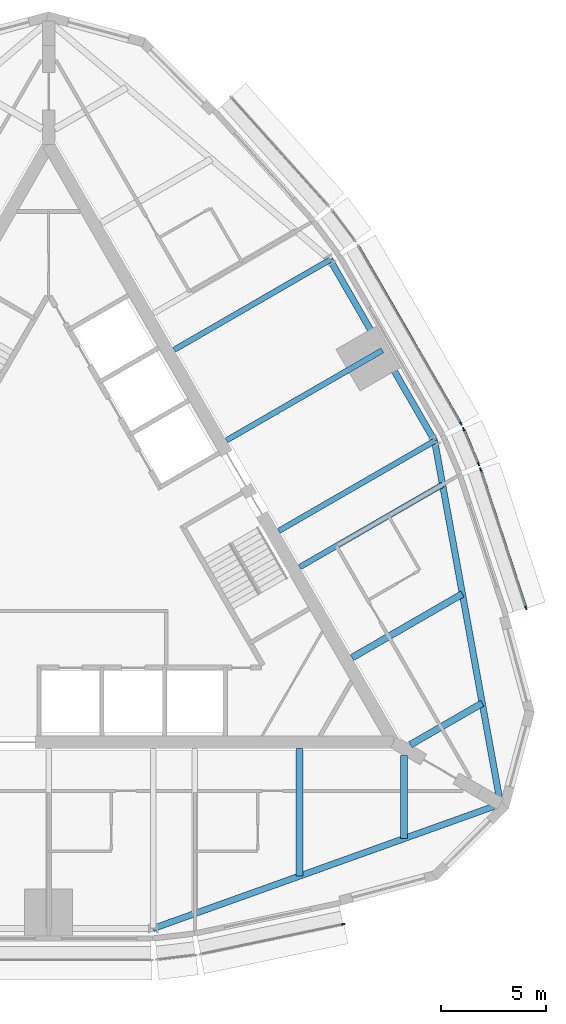
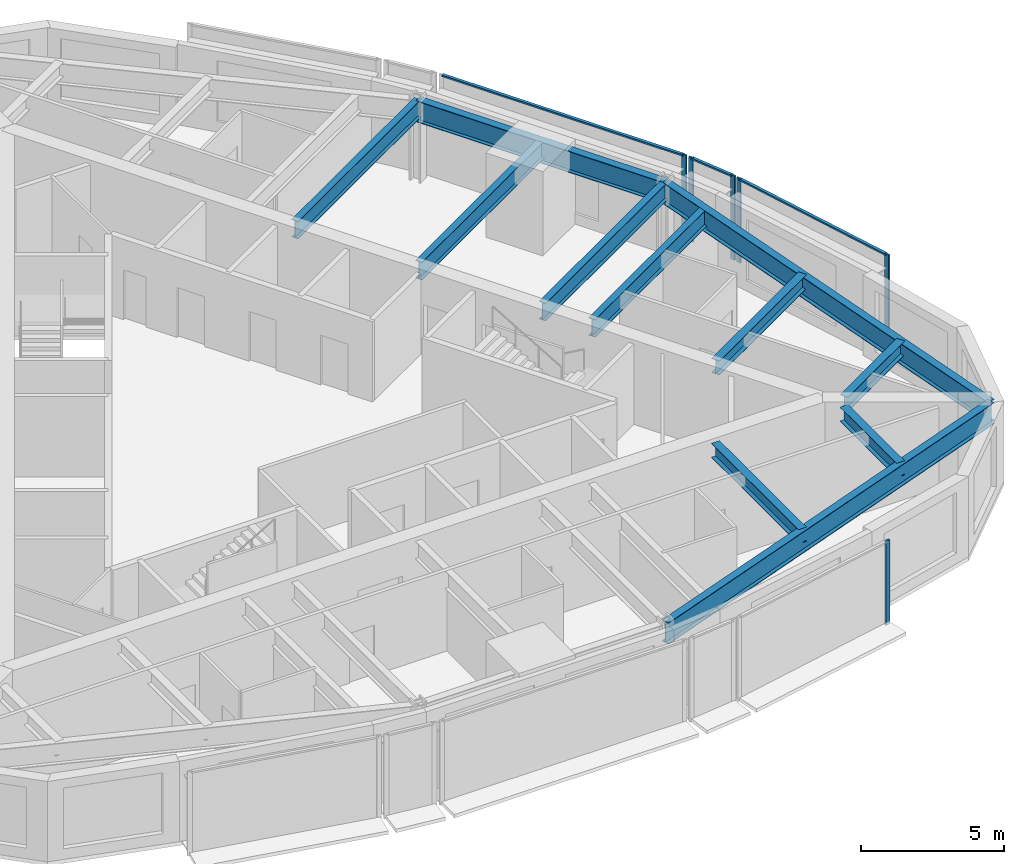
# One storey, part 4 of 12: 11 beams, 9 members, 4 elements without a shape of their own.
"""IFC4 building model written with IfcOpenShell, lengths in metres."""

import ifcopenshell
import ifcopenshell.guid

model = None  # the IFC model being written
_history = None  # IfcOwnerHistory: only IFC2X3 demands one
_inside = {}  # id of a spatial element -> (the spatial element, [elements in it])
_under = {}  # id of a project, library or spatial element -> (it, [spatial elements below it])
_declared = {}  # id of a project -> (the project, [libraries it declares])
_typed = {}  # id of a type object -> (the type object, [elements of that type])
_made_of = {}  # id of a material, layer set ... -> (it, [elements and type objects made of it])


def new_model(schema):
    """Start an empty IFC model of exactly this schema.

    Asked for "IFC4X3", IfcOpenShell would pick the latest addendum, in which some entities
    have other attributes; the version numbers below select the first issue.
    IFC2X3 requires an IfcOwnerHistory on every rooted entity: one is made here for all.
    """
    global model, _history
    if schema == "IFC4X3":
        model = ifcopenshell.file(schema_version=(4, 3, 0, 0))
    else:
        model = ifcopenshell.file(schema=schema)
    _inside.clear()
    _under.clear()
    _declared.clear()
    _typed.clear()
    _made_of.clear()
    _history = None
    if model.schema == "IFC2X3":
        org = make("IfcOrganization", Name="unknown")
        user = make(
            "IfcPersonAndOrganization",
            ThePerson=make("IfcPerson", FamilyName="unknown"),
            TheOrganization=org,
        )
        app = make(
            "IfcApplication",
            ApplicationDeveloper=org,
            Version="unknown",
            ApplicationFullName="unknown",
            ApplicationIdentifier="unknown",
        )
        _history = make(
            "IfcOwnerHistory",
            OwningUser=user,
            OwningApplication=app,
            ChangeAction="ADDED",
            CreationDate=0,
        )
    return model


def make(cls, **values):
    """One entity of the class cls with the attributes given. An attribute that is None is left unset."""
    return model.create_entity(
        cls, **{name: value for name, value in values.items() if value is not None}
    )


def rooted(cls, **values):
    """An entity with a GlobalId (a new one), such as an element, a storey or a relation."""
    return make(cls, GlobalId=ifcopenshell.guid.new(), OwnerHistory=_history, **values)


def si_unit(unit_type, name, prefix=None):
    """IfcSIUnit, for example si_unit("LENGTHUNIT", "METRE", prefix="MILLI")."""
    return make("IfcSIUnit", UnitType=unit_type, Prefix=prefix, Name=name)


def assignment(units):
    """IfcUnitAssignment: the units of a project."""
    return None if units is None else make("IfcUnitAssignment", Units=units)


def point(xyz):
    """IfcCartesianPoint."""
    return None if xyz is None else make("IfcCartesianPoint", Coordinates=xyz)


def direction(xyz):
    """IfcDirection."""
    return None if xyz is None else make("IfcDirection", DirectionRatios=xyz)


def frame(location, z_axis=None, x_axis=None):
    """IfcAxis2Placement3D, a coordinate frame: its origin and axes. An axis left out is left unset."""
    return make(
        "IfcAxis2Placement3D",
        Location=point(location),
        Axis=direction(z_axis),
        RefDirection=direction(x_axis),
    )


def frame_2d(location, x_axis=None):
    """IfcAxis2Placement2D, a coordinate frame in the plane: its origin and x axis."""
    return make(
        "IfcAxis2Placement2D", Location=point(location), RefDirection=direction(x_axis)
    )


def origin():
    """The frame at (0, 0, 0) with its axes left unset."""
    return frame((0.0, 0.0, 0.0))


def origin_2d():
    """The frame at (0, 0) in the plane with its x axis left unset."""
    return frame_2d((0.0, 0.0))


def place(relative_to, where):
    """IfcLocalPlacement: puts the frame where relative to a parent placement (None: the world)."""
    return make(
        "IfcLocalPlacement", PlacementRelTo=relative_to, RelativePlacement=where
    )


def context(
    kind, dimensions, precision=None, world=None, true_north=None, identifier=None
):
    """IfcGeometricRepresentationContext, for example the 3D "Model" context."""
    return make(
        "IfcGeometricRepresentationContext",
        ContextIdentifier=identifier,
        ContextType=kind,
        CoordinateSpaceDimension=dimensions,
        Precision=precision,
        WorldCoordinateSystem=world,
        TrueNorth=true_north,
    )


def subcontext(parent, identifier, kind, view, scale=None):
    """IfcGeometricRepresentationSubContext, for example "Body" below "Model"."""
    return make(
        "IfcGeometricRepresentationSubContext",
        ContextIdentifier=identifier,
        ContextType=kind,
        ParentContext=parent,
        TargetScale=scale,
        TargetView=view,
    )


def project(units=None, contexts=None):
    """IfcProject with its units and contexts."""
    return rooted(
        "IfcProject",
        Name="project",
        RepresentationContexts=contexts,
        UnitsInContext=assignment(units),
    )


def spatial(cls, under=None, at=None, **own):
    """A site, building, storey or space (cls), placed at a placement, below another one or the project."""
    s = rooted(cls, ObjectPlacement=at, **own)
    if under is not None:
        _under.setdefault(under.id(), (under, []))[1].append(s)
    return s


def profile(cls, at=None, kind="AREA", **sizes):
    """A parametric profile (cls). Its sizes go by their IFC names, for example OverallWidth=200.0."""
    return make(cls, ProfileType=kind, Position=at, **sizes)


def rectangle(**sizes):
    """IfcRectangleProfileDef."""
    return profile("IfcRectangleProfileDef", **sizes)


def i_section(**sizes):
    """IfcIShapeProfileDef."""
    return profile("IfcIShapeProfileDef", **sizes)


def extrude(swept, where, along, depth):
    """IfcExtrudedAreaSolid: the profile swept, set in the frame where, extruded along a direction by depth."""
    return make(
        "IfcExtrudedAreaSolid",
        SweptArea=swept,
        Position=where,
        ExtrudedDirection=direction(along),
        Depth=depth,
    )


def shape(context_of_items, identifier, shape_type, items):
    """IfcShapeRepresentation: the items that make up one representation, for example the "Body"."""
    return make(
        "IfcShapeRepresentation",
        ContextOfItems=context_of_items,
        RepresentationIdentifier=identifier,
        RepresentationType=shape_type,
        Items=items,
    )


def material(Name=None, Category=None):
    """IfcMaterial."""
    return make("IfcMaterial", Name=Name, Category=Category)


def material_profile(
    of_material, cross_section, Name=None, Category=None, Priority=None
):
    """IfcMaterialProfile: a cross section and its material."""
    return make(
        "IfcMaterialProfile",
        Name=Name,
        Material=of_material,
        Profile=cross_section,
        Priority=Priority,
        Category=Category,
    )


def profile_set(profiles, Name=None, composite=None):
    """IfcMaterialProfileSet."""
    return make(
        "IfcMaterialProfileSet",
        Name=Name,
        MaterialProfiles=profiles,
        CompositeProfile=composite,
    )


def made_of(thing, what):
    """Note that an element or type object is made of a material, layer set ...; save() writes the relation."""
    if what is not None:
        _made_of.setdefault(what.id(), (what, []))[1].append(thing)
    return thing


def type_object(cls, material=None, **own):
    """A type object (cls), such as IfcWallType, which elements share."""
    return made_of(rooted(cls, **own), material)


def element(
    cls,
    number,
    at=None,
    inside=None,
    cuts=None,
    type_object=None,
    material=None,
    context=None,
    identifier="Body",
    shape_type=None,
    held_by="IfcProductDefinitionShape",
    body=None,
    shapes=None,
    **own,
):
    """One element of the class cls, such as IfcWall. Its Tag is "e" and its number.

    at: its placement. inside: the storey or other place that contains it. cuts: it is an
    opening in that element (IfcRelVoidsElement). A single representation is given by context,
    identifier, shape_type and body (its items); several are given by shapes. held_by: the class
    of the entity that holds the representations. save() writes the other relations.
    """
    e = rooted(cls, Tag="e%d" % number, ObjectPlacement=at, **own)
    if body is not None:
        shapes = [shape(context, identifier, shape_type, body)]
    if shapes is not None:
        e.Representation = make(held_by, Representations=shapes)
    if inside is not None:
        _inside.setdefault(inside.id(), (inside, []))[1].append(e)
    if cuts is not None:
        rooted(
            "IfcRelVoidsElement", RelatingBuildingElement=cuts, RelatedOpeningElement=e
        )
    if type_object is not None:
        _typed.setdefault(type_object.id(), (type_object, []))[1].append(e)
    return made_of(e, material)


def aggregate(whole, parts):
    """IfcRelAggregates: a whole, such as a stair, and the parts it consists of."""
    return rooted("IfcRelAggregates", RelatingObject=whole, RelatedObjects=parts)


def save(model, path):
    """Write the relations noted so far, then the file.

    IfcRelAggregates (storeys below a building ...), IfcRelContainedInSpatialStructure (elements
    in a storey), IfcRelDefinesByType, IfcRelAssociatesMaterial and IfcRelDeclares: one each for
    every whole, place, type object, material and project.
    """
    for whole, parts in _under.values():
        aggregate(whole, parts)
    for where, things in _inside.values():
        rooted(
            "IfcRelContainedInSpatialStructure",
            RelatedElements=things,
            RelatingStructure=where,
        )
    for kind, things in _typed.values():
        rooted("IfcRelDefinesByType", RelatedObjects=things, RelatingType=kind)
    for what, things in _made_of.values():
        rooted("IfcRelAssociatesMaterial", RelatedObjects=things, RelatingMaterial=what)
    for by, libraries in _declared.values():
        rooted("IfcRelDeclares", RelatingContext=by, RelatedDefinitions=libraries)
    model.write(path)


model = new_model("IFC4")

# Units and contexts
model_context = context("Model", 3, precision=1e-05, world=origin(), true_north=direction((0.0, 1.0)))
body_context = subcontext(model_context, "Body", "Model", "MODEL_VIEW")
ifc_project = project(units=[si_unit("LENGTHUNIT", "METRE"), si_unit("AREAUNIT", "SQUARE_METRE"), si_unit("VOLUMEUNIT", "CUBIC_METRE"), si_unit("PLANEANGLEUNIT", "RADIAN"), si_unit("MASSUNIT", "GRAM", prefix="KILO")], contexts=[model_context])

# Site, building, storey
site_placement = place(None, origin())
site = spatial("IfcSite", under=ifc_project, at=site_placement, CompositionType="ELEMENT")
building_placement = place(site_placement, origin())
building = spatial("IfcBuilding", under=site, at=building_placement, Name="Trikona Tower", CompositionType="ELEMENT")
storey_placement = place(building_placement, frame((0.0, 0.0, 246.5)))
storey = spatial("IfcBuildingStorey", under=building, at=storey_placement, Name="L65", CompositionType="ELEMENT", Elevation=246.5)

# Curtain wall, member
ifc_material_1 = material(Name="Aluminium curtain wall system", Category="aluminium")
curtain_wall_type = type_object("IfcCurtainWallType", Name="Curtain wall DS3", PredefinedType="NOTDEFINED", material=ifc_material_1)
curtain_wall_1_placement = place(storey_placement, origin())
curtain_wall_1 = element("IfcCurtainWall", 1, at=curtain_wall_1_placement, inside=storey, type_object=curtain_wall_type, Name="Curtain wall DS3 L65", PredefinedType="NOTDEFINED")
ifc_material_2 = material(Name="Aluminium mullion, pale anodised", Category="aluminium")
ifc_material_profile_1 = material_profile(ifc_material_2, rectangle(XDim=0.070068359375, YDim=0.179931640625, at=origin_2d()), Name="MUL-DS3")
ifc_profile_set_1 = profile_set([ifc_material_profile_1], Name="Aluminium mullion, pale anodised")
member_type_1 = type_object("IfcMemberType", Name="Mullion DS3 70x180", PredefinedType="MULLION", material=ifc_profile_set_1)
member_1_placement = place(storey_placement, frame((14.092041015625, -18.220703125, 0.0), z_axis=(0.0, 0.0, 1.0), x_axis=(-0.205527448396, 0.978651351583, 0.0)))
member_1 = element("IfcMember", 2, at=member_1_placement, type_object=member_type_1, Name="CW-DS3 mullion 2", PredefinedType="MULLION", context=body_context, shape_type="SweptSolid", body=[
    extrude(rectangle(XDim=0.070068359375, YDim=0.179931640625, at=origin_2d()), origin(), (0.0, 0.0, 1.0), 3.60009765625),
])
aggregate(curtain_wall_1, [member_1])

# Curtain wall, members
curtain_wall_2_placement = place(storey_placement, origin())
curtain_wall_2 = element("IfcCurtainWall", 3, at=curtain_wall_2_placement, inside=storey, type_object=curtain_wall_type, Name="Curtain wall DS3 L65", PredefinedType="NOTDEFINED")
member_2_placement = place(storey_placement, frame((22.82568359375, -3.09375, 0.0), z_axis=(0.0, 0.0, 1.0), x_axis=(-0.95029742275, -0.311343553515, 0.0)))
member_2 = element("IfcMember", 4, at=member_2_placement, type_object=member_type_1, Name="CW-DS3 mullion 1", PredefinedType="MULLION", context=body_context, shape_type="SweptSolid", body=[
    extrude(rectangle(XDim=0.070068359375, YDim=0.179931640625, at=origin_2d()), origin(), (0.0, 0.0, 1.0), 3.60009765625),
])
member_3_placement = place(storey_placement, frame((20.657958984375, 3.52294921875, 0.0), z_axis=(0.0, 0.0, 1.0), x_axis=(-0.95029742275, -0.311343553515, 0.0)))
member_3 = element("IfcMember", 5, at=member_3_placement, type_object=member_type_1, Name="CW-DS3 mullion 2", PredefinedType="MULLION", context=body_context, shape_type="SweptSolid", body=[
    extrude(rectangle(XDim=0.070068359375, YDim=0.179931640625, at=origin_2d()), origin(), (0.0, 0.0, 1.0), 3.60009765625),
])

curtain_wall_3_placement = place(storey_placement, origin())
curtain_wall_3 = element("IfcCurtainWall", 6, at=curtain_wall_3_placement, inside=storey, type_object=curtain_wall_type, Name="Curtain wall DS3 L65", PredefinedType="NOTDEFINED")
member_4_placement = place(storey_placement, frame((20.563232421875, 3.7744140625, 0.0), z_axis=(0.0, 0.0, 1.0), x_axis=(-0.919420580163, -0.393275726143, 0.0)))
member_4 = element("IfcMember", 7, at=member_4_placement, type_object=member_type_1, Name="CW-DS3 mullion 1", PredefinedType="MULLION", context=body_context, shape_type="SweptSolid", body=[
    extrude(rectangle(XDim=0.070068359375, YDim=0.179931640625, at=origin_2d()), origin(), (0.0, 0.0, 1.0), 3.60009765625),
])
member_5_placement = place(storey_placement, frame((19.845703125, 5.45166015625, 0.0), z_axis=(0.0, 0.0, 1.0), x_axis=(-0.919420580163, -0.393275726143, 0.0)))
member_5 = element("IfcMember", 8, at=member_5_placement, type_object=member_type_1, Name="CW-DS3 mullion 2", PredefinedType="MULLION", context=body_context, shape_type="SweptSolid", body=[
    extrude(rectangle(XDim=0.070068359375, YDim=0.179931640625, at=origin_2d()), origin(), (0.0, 0.0, 1.0), 3.60009765625),
])

# Curtain wall, member
curtain_wall_4_placement = place(storey_placement, origin())
curtain_wall_4 = element("IfcCurtainWall", 9, at=curtain_wall_4_placement, inside=storey, type_object=curtain_wall_type, Name="Curtain wall DS3 L65", PredefinedType="NOTDEFINED")
member_6_placement = place(storey_placement, frame((19.712890625, 5.717529296875, 0.0), z_axis=(0.0, 0.0, 1.0), x_axis=(-0.866024619633, -0.500001358187, 0.0)))
member_6 = element("IfcMember", 10, at=member_6_placement, type_object=member_type_1, Name="CW-DS3 mullion 1", PredefinedType="MULLION", context=body_context, shape_type="SweptSolid", body=[
    extrude(rectangle(XDim=0.070068359375, YDim=0.179931640625, at=origin_2d()), origin(), (0.0, 0.0, 1.0), 3.60009765625),
])

# Beams
ifc_material_3 = material(Name="Steel ASTM A992 Grade 50", Category="steel")
ifc_material_profile_2 = material_profile(ifc_material_3, i_section(OverallWidth=0.3251953125, OverallDepth=0.612060546875, WebThickness=0.0126953125, FlangeThickness=0.01904296875, at=origin_2d()), Name="W24X104")
ifc_profile_set_2 = profile_set([ifc_material_profile_2], Name="Steel ASTM A992 Grade 50")
beam_type_1 = type_object("IfcBeamType", Name="Steel beam W24x104 (wedge upper)", PredefinedType="BEAM", material=ifc_profile_set_2)
beam_1_placement = place(storey_placement, frame((12.0, -9.826416015625, 3.12890625), z_axis=(0.0, -1.0, 0.0), x_axis=(1.0, 0.0, 0.0)))
element("IfcBeam", 11, at=beam_1_placement, inside=storey, type_object=beam_type_1, Name="Floor beam L66 F1 u12", PredefinedType="BEAM", context=body_context, shape_type="SweptSolid", body=[
    extrude(i_section(OverallWidth=0.3251953125, OverallDepth=0.612060546875, WebThickness=0.0126953125, FlangeThickness=0.01904296875, at=origin_2d()), origin(), (0.0, 0.0, 1.0), 6.094970703125),
])
for number, where, z_axis, x_axis, name in (
    (12, (17.0, -10.161376953125, 3.12890625), (0.0, -1.0, 0.0), (1.0, 0.0, 0.0), "Floor beam L66 F1 u17"),
    (13, (17.300048828125, -9.6416015625, 3.12890625), (0.866030866614, 0.499990537983, 0.0), (-0.499990537983, 0.866030866614, 0.0), "Floor beam L66 F2 u-17"),
):
    element("IfcBeam", number, at=place(storey_placement, frame(where, z_axis=z_axis, x_axis=x_axis)), inside=storey, type_object=beam_type_1, Name=name, PredefinedType="BEAM", context=body_context, shape_type="SweptSolid", body=[
        extrude(i_section(OverallWidth=0.3251953125, OverallDepth=0.612060546875, WebThickness=0.0126953125, FlangeThickness=0.01904296875, at=origin_2d()), origin(), (0.0, 0.0, 1.0), 3.9677734375),
    ])
beam_2_placement = place(storey_placement, frame((14.509765625, -5.479248046875, 3.12890625), z_axis=(0.866023498866, 0.500003299401, 0.0), x_axis=(-0.500003299401, 0.866023498866, 0.0)))
element("IfcBeam", 14, at=beam_2_placement, inside=storey, type_object=beam_type_1, Name="Floor beam L66 F2 u-12", PredefinedType="BEAM", context=body_context, shape_type="SweptSolid", body=[
    extrude(i_section(OverallWidth=0.3251953125, OverallDepth=0.612060546875, WebThickness=0.0126953125, FlangeThickness=0.01904296875, at=origin_2d()), origin(), (0.0, 0.0, 1.0), 6.09521484375),
])
ifc_material_4 = material(Name="Steel ASTM A992 Grade 50", Category="steel")
ifc_material_profile_3 = material_profile(ifc_material_4, i_section(OverallWidth=0.2666015625, OverallDepth=0.7568359375, WebThickness=0.013916015625, FlangeThickness=0.019287109375, at=origin_2d()), Name="W30X108")
ifc_profile_set_3 = profile_set([ifc_material_profile_3], Name="Steel ASTM A992 Grade 50")
beam_type_2 = type_object("IfcBeamType", Name="Steel beam W30x108 (radial upper)", PredefinedType="BEAM", material=ifc_profile_set_3)
beam_3_placement = place(storey_placement, frame((12.009765625, -1.14892578125, 3.056396484375), z_axis=(0.866034560358, 0.499984140014, 0.0), x_axis=(-0.499984140014, 0.866034560358, 0.0)))
element("IfcBeam", 15, at=beam_3_placement, inside=storey, type_object=beam_type_2, Name="Floor beam L66 F2 u-7", PredefinedType="BEAM", context=body_context, shape_type="SweptSolid", body=[
    extrude(i_section(OverallWidth=0.2666015625, OverallDepth=0.7568359375, WebThickness=0.013916015625, FlangeThickness=0.019287109375, at=origin_2d()), origin(), (0.0, 0.0, 1.0), 7.887451171875),
])
beam_4_placement = place(storey_placement, frame((11.009765625, 0.5830078125, 3.056396484375), z_axis=(0.866029182723, 0.49999345463, 0.0), x_axis=(-0.49999345463, 0.866029182723, 0.0)))
element("IfcBeam", 16, at=beam_4_placement, inside=storey, type_object=beam_type_2, Name="Floor beam L66 F2 u-5", PredefinedType="BEAM", context=body_context, shape_type="SweptSolid", body=[
    extrude(i_section(OverallWidth=0.2666015625, OverallDepth=0.7568359375, WebThickness=0.013916015625, FlangeThickness=0.019287109375, at=origin_2d()), origin(), (0.0, 0.0, 1.0), 8.60400390625),
])
beam_5_placement = place(storey_placement, frame((8.509765625, 4.9130859375, 3.056396484375), z_axis=(0.866016896067, 0.50001473551, 0.0), x_axis=(-0.50001473551, 0.866016896067, 0.0)))
element("IfcBeam", 17, at=beam_5_placement, inside=storey, type_object=beam_type_2, Name="Floor beam L66 F2 u0", PredefinedType="BEAM", context=body_context, shape_type="SweptSolid", body=[
    extrude(i_section(OverallWidth=0.2666015625, OverallDepth=0.7568359375, WebThickness=0.013916015625, FlangeThickness=0.019287109375, at=origin_2d()), origin(), (0.0, 0.0, 1.0), 8.604248046875),
])
beam_6_placement = place(storey_placement, frame((6.009765625, 9.243408203125, 3.056396484375), z_axis=(0.866029182723, 0.49999345463, 0.0), x_axis=(-0.49999345463, 0.866029182723, 0.0)))
element("IfcBeam", 18, at=beam_6_placement, inside=storey, type_object=beam_type_2, Name="Floor beam L66 F2 u5", PredefinedType="BEAM", context=body_context, shape_type="SweptSolid", body=[
    extrude(i_section(OverallWidth=0.2666015625, OverallDepth=0.7568359375, WebThickness=0.013916015625, FlangeThickness=0.019287109375, at=origin_2d()), origin(), (0.0, 0.0, 1.0), 8.60400390625),
])
ifc_material_5 = material(Name="Steel ASTM A992 Grade 50", Category="steel")
ifc_material_profile_4 = material_profile(ifc_material_5, i_section(OverallWidth=0.3046875, OverallDepth=0.911865234375, WebThickness=0.015869140625, FlangeThickness=0.02392578125, at=origin_2d()), Name="W36X150")
ifc_profile_set_4 = profile_set([ifc_material_profile_4], Name="Steel ASTM A992 Grade 50")
beam_type_3 = type_object("IfcBeamType", Name="Steel beam W36x150 (spandrel upper)", PredefinedType="SPANDREL", material=ifc_profile_set_4)
for number, where, z_axis, x_axis, name in (
    (19, (5.0, -18.430419921875, 2.97900390625), (0.941358144832, 0.337409014637, 0.0), (-0.337409014637, 0.941358144832, 0.0), "Spandrel beam L66 F1-3"),
    (20, (21.6103515625, -12.476806640625, 2.97900390625), (-0.178472662054, 0.983944870864, 0.0), (-0.983944870864, -0.178472662054, 0.0), "Spandrel beam L66 F2-1"),
):
    element("IfcBeam", number, at=place(storey_placement, frame(where, z_axis=z_axis, x_axis=x_axis)), inside=storey, type_object=beam_type_3, Name=name, PredefinedType="SPANDREL", context=body_context, shape_type="SweptSolid", body=[
        extrude(i_section(OverallWidth=0.3046875, OverallDepth=0.911865234375, WebThickness=0.015869140625, FlangeThickness=0.02392578125, at=origin_2d()), origin(), (0.0, 0.0, 1.0), 17.64501953125),
    ])
beam_7_placement = place(storey_placement, frame((18.461181640625, 4.885009765625, 2.97900390625), z_axis=(-0.499993662806, 0.866029062534, 0.0), x_axis=(-0.866029062534, -0.499993662806, 0.0)))
element("IfcBeam", 21, at=beam_7_placement, inside=storey, type_object=beam_type_3, Name="Spandrel beam L66 F2-2", PredefinedType="SPANDREL", context=body_context, shape_type="SweptSolid", body=[
    extrude(i_section(OverallWidth=0.3046875, OverallDepth=0.911865234375, WebThickness=0.015869140625, FlangeThickness=0.02392578125, at=origin_2d()), origin(), (0.0, 0.0, 1.0), 10.000244140625),
])

# Member
ifc_material_6 = material(Name="Aluminium transom, pale anodised", Category="aluminium")
ifc_material_profile_5 = material_profile(ifc_material_6, rectangle(XDim=0.1201171875, YDim=0.070068359375, at=origin_2d()), Name="TRN-DS3")
ifc_profile_set_5 = profile_set([ifc_material_profile_5], Name="Aluminium transom, pale anodised")
member_type_2 = type_object("IfcMemberType", Name="Transom DS3 70x120", PredefinedType="USERDEFINED", material=ifc_profile_set_5)
member_7_placement = place(storey_placement, frame((22.814697265625, -3.060302734375, 3.56494140625), z_axis=(-0.311346184, 0.950296560926, 0.0), x_axis=(-0.950296560926, -0.311346184, 0.0)))
member_7 = element("IfcMember", 22, at=member_7_placement, type_object=member_type_2, Name="CW-DS3 transom 1.1", ObjectType="TRANSOM", PredefinedType="USERDEFINED", context=body_context, shape_type="SweptSolid", body=[
    extrude(rectangle(XDim=0.1201171875, YDim=0.070068359375, at=origin_2d()), origin(), (0.0, 0.0, 1.0), 6.892578125),
])

aggregate(curtain_wall_2, [member_2, member_3, member_7])

member_8_placement = place(storey_placement, frame((20.549560546875, 3.806640625, 3.56494140625), z_axis=(-0.393314512783, 0.919403988481, 0.0), x_axis=(-0.919403988481, -0.393314512783, 0.0)))
member_8 = element("IfcMember", 23, at=member_8_placement, type_object=member_type_2, Name="CW-DS3 transom 1.1", ObjectType="TRANSOM", PredefinedType="USERDEFINED", context=body_context, shape_type="SweptSolid", body=[
    extrude(rectangle(XDim=0.1201171875, YDim=0.070068359375, at=origin_2d()), origin(), (0.0, 0.0, 1.0), 1.754150390625),
])

aggregate(curtain_wall_3, [member_4, member_5, member_8])

member_9_placement = place(storey_placement, frame((19.6953125, 5.747802734375, 3.56494140625), z_axis=(-0.500010305712, 0.866019453697, 0.0), x_axis=(-0.866019453697, -0.500010305712, 0.0)))
member_9 = element("IfcMember", 24, at=member_9_placement, type_object=member_type_2, Name="CW-DS3 transom 1.1", ObjectType="TRANSOM", PredefinedType="USERDEFINED", context=body_context, shape_type="SweptSolid", body=[
    extrude(rectangle(XDim=0.1201171875, YDim=0.070068359375, at=origin_2d()), origin(), (0.0, 0.0, 1.0), 9.739990234375),
])

aggregate(curtain_wall_4, [member_6, member_9])

save(model, "model.ifc")
